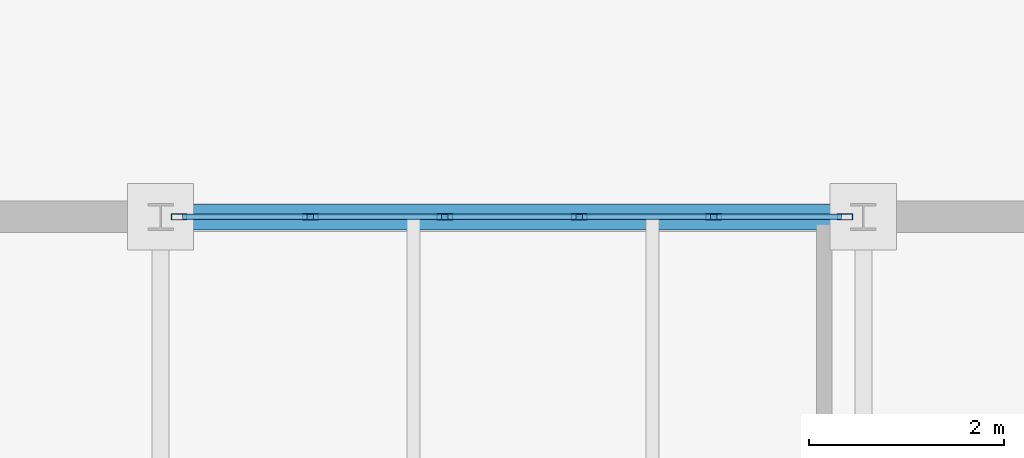
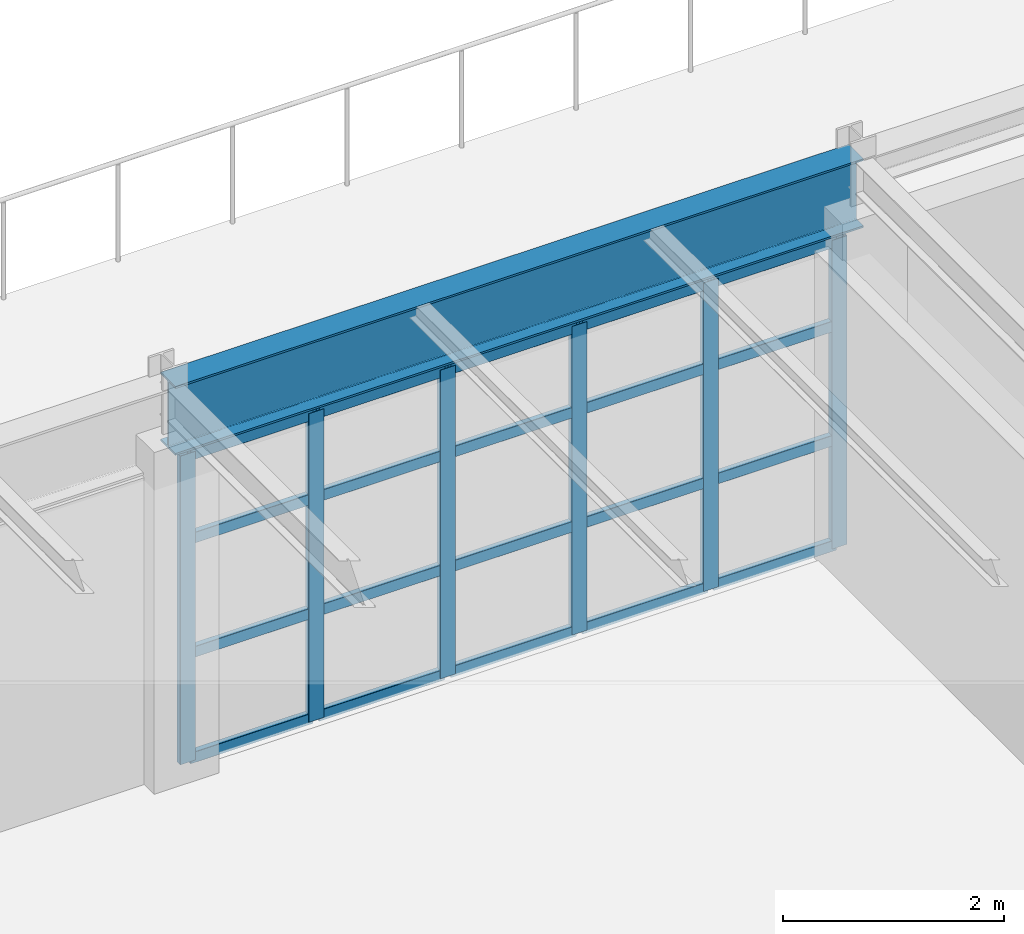
# One storey, part 74 of 101: 26 members, 1 beam, 1 element without a shape of its own.
"""IFC4 building model written with IfcOpenShell, lengths in metres."""

from ifc_helpers import new_model, si_unit, direction, frame, origin, origin_2d, place, context, subcontext, project, spatial, hollow_rectangle, i_section, extrude, material, layer, layer_set, material_profile, profile_set, type_object, element, aggregate, save


model = new_model("IFC4")

# Units and contexts
model_context = context("Model", 3, precision=1e-05, world=origin(), true_north=direction((0.0, 1.0)))
body_context = subcontext(model_context, "Body", "Model", "MODEL_VIEW")
ifc_project = project(units=[si_unit("LENGTHUNIT", "METRE"), si_unit("AREAUNIT", "SQUARE_METRE"), si_unit("VOLUMEUNIT", "CUBIC_METRE"), si_unit("PLANEANGLEUNIT", "RADIAN"), si_unit("MASSUNIT", "GRAM", prefix="KILO")], contexts=[model_context])

# Site, building, storey
site_placement = place(None, origin())
site = spatial("IfcSite", under=ifc_project, at=site_placement, CompositionType="ELEMENT")
building_placement = place(site_placement, origin())
building = spatial("IfcBuilding", under=site, at=building_placement, Name="Kemerveld Promenade Tramway Depot", CompositionType="ELEMENT")
storey_placement = place(building_placement, frame((0.0, 0.0, 9.89990234375)))
storey = spatial("IfcBuildingStorey", under=building, at=storey_placement, Name="L02", CompositionType="ELEMENT", Elevation=9.89990234375)

# Beam
ifc_material_1 = material(Name="Steel S355", Category="steel")
ifc_material_profile_1 = material_profile(ifc_material_1, i_section(OverallWidth=0.2666015625, OverallDepth=0.76220703125, WebThickness=0.014404296875, FlangeThickness=0.021484375, FilletRadius=0.0166015625, at=origin_2d()), Name="762x267x173 UB")
ifc_profile_set_1 = profile_set([ifc_material_profile_1], Name="Steel S355")
beam_type = type_object("IfcBeamType", Name="BM-G02", PredefinedType="BEAM", material=ifc_profile_set_1)
beam_placement = place(storey_placement, frame((21.60009765625, 72.0, 3.904052734375), z_axis=(1.0, 0.0, 0.0), x_axis=(0.0, 1.0, 0.0)))
element("IfcBeam", 1, at=beam_placement, inside=storey, type_object=beam_type, Name="BMX-L02-04-05-L", PredefinedType="BEAM", context=body_context, shape_type="SweptSolid", body=[
    extrude(i_section(OverallWidth=0.2666015625, OverallDepth=0.76220703125, WebThickness=0.014404296875, FlangeThickness=0.021484375, FilletRadius=0.0166015625, at=origin_2d()), origin(), (0.0, 0.0, 1.0), 7.199951171875),
])

# Curtain wall, members
ifc_material_2 = material(Name="Bronze anodised aluminium and solar glass", Category="aluminium")
ifc_layer = layer(ifc_material_2, 0.159912109375)
ifc_layer_set = layer_set([ifc_layer], Name="CW-SYS-07")
curtain_wall_type = type_object("IfcCurtainWallType", Name="CW-SYS-07", PredefinedType="USERDEFINED", material=ifc_layer_set)
curtain_wall_placement = place(storey_placement, origin())
curtain_wall = element("IfcCurtainWall", 2, at=curtain_wall_placement, inside=storey, type_object=curtain_wall_type, Name="CW-L02-V5N-04", ObjectType="GLAZED_CURTAIN_WALL", PredefinedType="USERDEFINED")
ifc_material_3 = material(Name="Bronze anodised aluminium", Category="aluminium")
ifc_material_profile_2 = material_profile(ifc_material_3, hollow_rectangle(XDim=0.06494140625, YDim=0.159912109375, WallThickness=0.00390625, InnerFilletRadius=0.001953125, OuterFilletRadius=0.00390625, at=origin_2d()), Name="CW-MUL-160x65")
ifc_profile_set_2 = profile_set([ifc_material_profile_2], Name="Bronze anodised aluminium")
member_type_1 = type_object("IfcMemberType", Name="CW-MUL-A", PredefinedType="MULLION", material=ifc_profile_set_2)
member_1_placement = place(storey_placement, frame((21.790771484375, 72.0, 0.0), z_axis=(0.0, 0.0, 1.0), x_axis=(0.0, 1.0, 0.0)))
member_1 = element("IfcMember", 3, at=member_1_placement, type_object=member_type_1, Name="CW07 mullion 1", PredefinedType="MULLION", context=body_context, shape_type="SweptSolid", body=[
    extrude(hollow_rectangle(XDim=0.06494140625, YDim=0.159912109375, WallThickness=0.00390625, InnerFilletRadius=0.001953125, OuterFilletRadius=0.00390625, at=origin_2d()), origin(), (0.0, 0.0, 1.0), 3.414306640625),
])
member_2_placement = place(storey_placement, frame((23.135009765625, 72.0, 0.0), z_axis=(0.0, 0.0, 1.0), x_axis=(0.0, 1.0, 0.0)))
member_2 = element("IfcMember", 4, at=member_2_placement, type_object=member_type_1, Name="CW07 mullion 2", PredefinedType="MULLION", context=body_context, shape_type="SweptSolid", body=[
    extrude(hollow_rectangle(XDim=0.06494140625, YDim=0.159912109375, WallThickness=0.00390625, InnerFilletRadius=0.001953125, OuterFilletRadius=0.00390625, at=origin_2d()), origin(), (0.0, 0.0, 1.0), 3.414306640625),
])
member_3_placement = place(storey_placement, frame((24.51171875, 72.0, 0.0), z_axis=(0.0, 0.0, 1.0), x_axis=(0.0, 1.0, 0.0)))
member_3 = element("IfcMember", 5, at=member_3_placement, type_object=member_type_1, Name="CW07 mullion 3", PredefinedType="MULLION", context=body_context, shape_type="SweptSolid", body=[
    extrude(hollow_rectangle(XDim=0.06494140625, YDim=0.159912109375, WallThickness=0.00390625, InnerFilletRadius=0.001953125, OuterFilletRadius=0.00390625, at=origin_2d()), origin(), (0.0, 0.0, 1.0), 3.414306640625),
])
member_4_placement = place(storey_placement, frame((25.888427734375, 72.0, 0.0), z_axis=(0.0, 0.0, 1.0), x_axis=(0.0, 1.0, 0.0)))
member_4 = element("IfcMember", 6, at=member_4_placement, type_object=member_type_1, Name="CW07 mullion 4", PredefinedType="MULLION", context=body_context, shape_type="SweptSolid", body=[
    extrude(hollow_rectangle(XDim=0.06494140625, YDim=0.159912109375, WallThickness=0.00390625, InnerFilletRadius=0.001953125, OuterFilletRadius=0.00390625, at=origin_2d()), origin(), (0.0, 0.0, 1.0), 3.414306640625),
])
member_5_placement = place(storey_placement, frame((27.26513671875, 72.0, 0.0), z_axis=(0.0, 0.0, 1.0), x_axis=(0.0, 1.0, 0.0)))
member_5 = element("IfcMember", 7, at=member_5_placement, type_object=member_type_1, Name="CW07 mullion 5", PredefinedType="MULLION", context=body_context, shape_type="SweptSolid", body=[
    extrude(hollow_rectangle(XDim=0.06494140625, YDim=0.159912109375, WallThickness=0.00390625, InnerFilletRadius=0.001953125, OuterFilletRadius=0.00390625, at=origin_2d()), origin(), (0.0, 0.0, 1.0), 3.414306640625),
])
member_6_placement = place(storey_placement, frame((28.609375, 72.0, 0.0), z_axis=(0.0, 0.0, 1.0), x_axis=(0.0, 1.0, 0.0)))
member_6 = element("IfcMember", 8, at=member_6_placement, type_object=member_type_1, Name="CW07 mullion 6", PredefinedType="MULLION", context=body_context, shape_type="SweptSolid", body=[
    extrude(hollow_rectangle(XDim=0.06494140625, YDim=0.159912109375, WallThickness=0.00390625, InnerFilletRadius=0.001953125, OuterFilletRadius=0.00390625, at=origin_2d()), origin(), (0.0, 0.0, 1.0), 3.414306640625),
])
ifc_material_profile_3 = material_profile(ifc_material_3, hollow_rectangle(XDim=0.06005859375, YDim=0.1201171875, WallThickness=0.00390625, InnerFilletRadius=0.001953125, OuterFilletRadius=0.00390625, at=origin_2d()), Name="CW-TRN-120x60")
ifc_profile_set_3 = profile_set([ifc_material_profile_3], Name="Bronze anodised aluminium")
member_type_2 = type_object("IfcMemberType", Name="CW-TRN-A", PredefinedType="USERDEFINED", material=ifc_profile_set_3)
member_7_placement = place(storey_placement, frame((21.8232421875, 72.0, 0.030029296875), z_axis=(1.0, 0.0, 0.0), x_axis=(0.0, 1.0, 0.0)))
member_7 = element("IfcMember", 9, at=member_7_placement, type_object=member_type_2, Name="CW07 transom 1.1", ObjectType="TRANSOM", PredefinedType="USERDEFINED", context=body_context, shape_type="SweptSolid", body=[
    extrude(hollow_rectangle(XDim=0.06005859375, YDim=0.1201171875, WallThickness=0.00390625, InnerFilletRadius=0.001953125, OuterFilletRadius=0.00390625, at=origin_2d()), origin(), (0.0, 0.0, 1.0), 1.279296875),
])
member_8_placement = place(storey_placement, frame((21.8232421875, 72.0, 1.195068359375), z_axis=(1.0, 0.0, 0.0), x_axis=(0.0, 1.0, 0.0)))
member_8 = element("IfcMember", 10, at=member_8_placement, type_object=member_type_2, Name="CW07 transom 1.2", ObjectType="TRANSOM", PredefinedType="USERDEFINED", context=body_context, shape_type="SweptSolid", body=[
    extrude(hollow_rectangle(XDim=0.06005859375, YDim=0.1201171875, WallThickness=0.00390625, InnerFilletRadius=0.001953125, OuterFilletRadius=0.00390625, at=origin_2d()), origin(), (0.0, 0.0, 1.0), 1.279296875),
])
member_9_placement = place(storey_placement, frame((21.8232421875, 72.0, 2.4580078125), z_axis=(1.0, 0.0, 0.0), x_axis=(0.0, 1.0, 0.0)))
member_9 = element("IfcMember", 11, at=member_9_placement, type_object=member_type_2, Name="CW07 transom 1.3", ObjectType="TRANSOM", PredefinedType="USERDEFINED", context=body_context, shape_type="SweptSolid", body=[
    extrude(hollow_rectangle(XDim=0.06005859375, YDim=0.1201171875, WallThickness=0.00390625, InnerFilletRadius=0.001953125, OuterFilletRadius=0.00390625, at=origin_2d()), origin(), (0.0, 0.0, 1.0), 1.279296875),
])
member_10_placement = place(storey_placement, frame((21.8232421875, 72.0, 3.38427734375), z_axis=(1.0, 0.0, 0.0), x_axis=(0.0, 1.0, 0.0)))
member_10 = element("IfcMember", 12, at=member_10_placement, type_object=member_type_2, Name="CW07 transom 1.4", ObjectType="TRANSOM", PredefinedType="USERDEFINED", context=body_context, shape_type="SweptSolid", body=[
    extrude(hollow_rectangle(XDim=0.06005859375, YDim=0.1201171875, WallThickness=0.00390625, InnerFilletRadius=0.001953125, OuterFilletRadius=0.00390625, at=origin_2d()), origin(), (0.0, 0.0, 1.0), 1.279296875),
])
member_11_placement = place(storey_placement, frame((23.16748046875, 72.0, 0.030029296875), z_axis=(1.0, 0.0, 0.0), x_axis=(0.0, 1.0, 0.0)))
member_11 = element("IfcMember", 13, at=member_11_placement, type_object=member_type_2, Name="CW07 transom 2.1", ObjectType="TRANSOM", PredefinedType="USERDEFINED", context=body_context, shape_type="SweptSolid", body=[
    extrude(hollow_rectangle(XDim=0.06005859375, YDim=0.1201171875, WallThickness=0.00390625, InnerFilletRadius=0.001953125, OuterFilletRadius=0.00390625, at=origin_2d()), origin(), (0.0, 0.0, 1.0), 1.311767578125),
])
member_12_placement = place(storey_placement, frame((23.16748046875, 72.0, 1.195068359375), z_axis=(1.0, 0.0, 0.0), x_axis=(0.0, 1.0, 0.0)))
member_12 = element("IfcMember", 14, at=member_12_placement, type_object=member_type_2, Name="CW07 transom 2.2", ObjectType="TRANSOM", PredefinedType="USERDEFINED", context=body_context, shape_type="SweptSolid", body=[
    extrude(hollow_rectangle(XDim=0.06005859375, YDim=0.1201171875, WallThickness=0.00390625, InnerFilletRadius=0.001953125, OuterFilletRadius=0.00390625, at=origin_2d()), origin(), (0.0, 0.0, 1.0), 1.311767578125),
])
member_13_placement = place(storey_placement, frame((23.16748046875, 72.0, 2.4580078125), z_axis=(1.0, 0.0, 0.0), x_axis=(0.0, 1.0, 0.0)))
member_13 = element("IfcMember", 15, at=member_13_placement, type_object=member_type_2, Name="CW07 transom 2.3", ObjectType="TRANSOM", PredefinedType="USERDEFINED", context=body_context, shape_type="SweptSolid", body=[
    extrude(hollow_rectangle(XDim=0.06005859375, YDim=0.1201171875, WallThickness=0.00390625, InnerFilletRadius=0.001953125, OuterFilletRadius=0.00390625, at=origin_2d()), origin(), (0.0, 0.0, 1.0), 1.311767578125),
])
member_14_placement = place(storey_placement, frame((23.16748046875, 72.0, 3.38427734375), z_axis=(1.0, 0.0, 0.0), x_axis=(0.0, 1.0, 0.0)))
member_14 = element("IfcMember", 16, at=member_14_placement, type_object=member_type_2, Name="CW07 transom 2.4", ObjectType="TRANSOM", PredefinedType="USERDEFINED", context=body_context, shape_type="SweptSolid", body=[
    extrude(hollow_rectangle(XDim=0.06005859375, YDim=0.1201171875, WallThickness=0.00390625, InnerFilletRadius=0.001953125, OuterFilletRadius=0.00390625, at=origin_2d()), origin(), (0.0, 0.0, 1.0), 1.311767578125),
])
member_15_placement = place(storey_placement, frame((24.544189453125, 72.0, 0.030029296875), z_axis=(1.0, 0.0, 0.0), x_axis=(0.0, 1.0, 0.0)))
member_15 = element("IfcMember", 17, at=member_15_placement, type_object=member_type_2, Name="CW07 transom 3.1", ObjectType="TRANSOM", PredefinedType="USERDEFINED", context=body_context, shape_type="SweptSolid", body=[
    extrude(hollow_rectangle(XDim=0.06005859375, YDim=0.1201171875, WallThickness=0.00390625, InnerFilletRadius=0.001953125, OuterFilletRadius=0.00390625, at=origin_2d()), origin(), (0.0, 0.0, 1.0), 1.311767578125),
])
member_16_placement = place(storey_placement, frame((24.544189453125, 72.0, 1.195068359375), z_axis=(1.0, 0.0, 0.0), x_axis=(0.0, 1.0, 0.0)))
member_16 = element("IfcMember", 18, at=member_16_placement, type_object=member_type_2, Name="CW07 transom 3.2", ObjectType="TRANSOM", PredefinedType="USERDEFINED", context=body_context, shape_type="SweptSolid", body=[
    extrude(hollow_rectangle(XDim=0.06005859375, YDim=0.1201171875, WallThickness=0.00390625, InnerFilletRadius=0.001953125, OuterFilletRadius=0.00390625, at=origin_2d()), origin(), (0.0, 0.0, 1.0), 1.311767578125),
])
member_17_placement = place(storey_placement, frame((24.544189453125, 72.0, 2.4580078125), z_axis=(1.0, 0.0, 0.0), x_axis=(0.0, 1.0, 0.0)))
member_17 = element("IfcMember", 19, at=member_17_placement, type_object=member_type_2, Name="CW07 transom 3.3", ObjectType="TRANSOM", PredefinedType="USERDEFINED", context=body_context, shape_type="SweptSolid", body=[
    extrude(hollow_rectangle(XDim=0.06005859375, YDim=0.1201171875, WallThickness=0.00390625, InnerFilletRadius=0.001953125, OuterFilletRadius=0.00390625, at=origin_2d()), origin(), (0.0, 0.0, 1.0), 1.311767578125),
])
member_18_placement = place(storey_placement, frame((24.544189453125, 72.0, 3.38427734375), z_axis=(1.0, 0.0, 0.0), x_axis=(0.0, 1.0, 0.0)))
member_18 = element("IfcMember", 20, at=member_18_placement, type_object=member_type_2, Name="CW07 transom 3.4", ObjectType="TRANSOM", PredefinedType="USERDEFINED", context=body_context, shape_type="SweptSolid", body=[
    extrude(hollow_rectangle(XDim=0.06005859375, YDim=0.1201171875, WallThickness=0.00390625, InnerFilletRadius=0.001953125, OuterFilletRadius=0.00390625, at=origin_2d()), origin(), (0.0, 0.0, 1.0), 1.311767578125),
])
member_19_placement = place(storey_placement, frame((25.9208984375, 72.0, 0.030029296875), z_axis=(1.0, 0.0, 0.0), x_axis=(0.0, 1.0, 0.0)))
member_19 = element("IfcMember", 21, at=member_19_placement, type_object=member_type_2, Name="CW07 transom 4.1", ObjectType="TRANSOM", PredefinedType="USERDEFINED", context=body_context, shape_type="SweptSolid", body=[
    extrude(hollow_rectangle(XDim=0.06005859375, YDim=0.1201171875, WallThickness=0.00390625, InnerFilletRadius=0.001953125, OuterFilletRadius=0.00390625, at=origin_2d()), origin(), (0.0, 0.0, 1.0), 1.311767578125),
])
member_20_placement = place(storey_placement, frame((25.9208984375, 72.0, 1.195068359375), z_axis=(1.0, 0.0, 0.0), x_axis=(0.0, 1.0, 0.0)))
member_20 = element("IfcMember", 22, at=member_20_placement, type_object=member_type_2, Name="CW07 transom 4.2", ObjectType="TRANSOM", PredefinedType="USERDEFINED", context=body_context, shape_type="SweptSolid", body=[
    extrude(hollow_rectangle(XDim=0.06005859375, YDim=0.1201171875, WallThickness=0.00390625, InnerFilletRadius=0.001953125, OuterFilletRadius=0.00390625, at=origin_2d()), origin(), (0.0, 0.0, 1.0), 1.311767578125),
])
member_21_placement = place(storey_placement, frame((25.9208984375, 72.0, 2.4580078125), z_axis=(1.0, 0.0, 0.0), x_axis=(0.0, 1.0, 0.0)))
member_21 = element("IfcMember", 23, at=member_21_placement, type_object=member_type_2, Name="CW07 transom 4.3", ObjectType="TRANSOM", PredefinedType="USERDEFINED", context=body_context, shape_type="SweptSolid", body=[
    extrude(hollow_rectangle(XDim=0.06005859375, YDim=0.1201171875, WallThickness=0.00390625, InnerFilletRadius=0.001953125, OuterFilletRadius=0.00390625, at=origin_2d()), origin(), (0.0, 0.0, 1.0), 1.311767578125),
])
member_22_placement = place(storey_placement, frame((25.9208984375, 72.0, 3.38427734375), z_axis=(1.0, 0.0, 0.0), x_axis=(0.0, 1.0, 0.0)))
member_22 = element("IfcMember", 24, at=member_22_placement, type_object=member_type_2, Name="CW07 transom 4.4", ObjectType="TRANSOM", PredefinedType="USERDEFINED", context=body_context, shape_type="SweptSolid", body=[
    extrude(hollow_rectangle(XDim=0.06005859375, YDim=0.1201171875, WallThickness=0.00390625, InnerFilletRadius=0.001953125, OuterFilletRadius=0.00390625, at=origin_2d()), origin(), (0.0, 0.0, 1.0), 1.311767578125),
])
member_23_placement = place(storey_placement, frame((27.297607421875, 72.0, 0.030029296875), z_axis=(1.0, 0.0, 0.0), x_axis=(0.0, 1.0, 0.0)))
member_23 = element("IfcMember", 25, at=member_23_placement, type_object=member_type_2, Name="CW07 transom 5.1", ObjectType="TRANSOM", PredefinedType="USERDEFINED", context=body_context, shape_type="SweptSolid", body=[
    extrude(hollow_rectangle(XDim=0.06005859375, YDim=0.1201171875, WallThickness=0.00390625, InnerFilletRadius=0.001953125, OuterFilletRadius=0.00390625, at=origin_2d()), origin(), (0.0, 0.0, 1.0), 1.279296875),
])
member_24_placement = place(storey_placement, frame((27.297607421875, 72.0, 1.195068359375), z_axis=(1.0, 0.0, 0.0), x_axis=(0.0, 1.0, 0.0)))
member_24 = element("IfcMember", 26, at=member_24_placement, type_object=member_type_2, Name="CW07 transom 5.2", ObjectType="TRANSOM", PredefinedType="USERDEFINED", context=body_context, shape_type="SweptSolid", body=[
    extrude(hollow_rectangle(XDim=0.06005859375, YDim=0.1201171875, WallThickness=0.00390625, InnerFilletRadius=0.001953125, OuterFilletRadius=0.00390625, at=origin_2d()), origin(), (0.0, 0.0, 1.0), 1.279296875),
])
member_25_placement = place(storey_placement, frame((27.297607421875, 72.0, 2.4580078125), z_axis=(1.0, 0.0, 0.0), x_axis=(0.0, 1.0, 0.0)))
member_25 = element("IfcMember", 27, at=member_25_placement, type_object=member_type_2, Name="CW07 transom 5.3", ObjectType="TRANSOM", PredefinedType="USERDEFINED", context=body_context, shape_type="SweptSolid", body=[
    extrude(hollow_rectangle(XDim=0.06005859375, YDim=0.1201171875, WallThickness=0.00390625, InnerFilletRadius=0.001953125, OuterFilletRadius=0.00390625, at=origin_2d()), origin(), (0.0, 0.0, 1.0), 1.279296875),
])
member_26_placement = place(storey_placement, frame((27.297607421875, 72.0, 3.38427734375), z_axis=(1.0, 0.0, 0.0), x_axis=(0.0, 1.0, 0.0)))
member_26 = element("IfcMember", 28, at=member_26_placement, type_object=member_type_2, Name="CW07 transom 5.4", ObjectType="TRANSOM", PredefinedType="USERDEFINED", context=body_context, shape_type="SweptSolid", body=[
    extrude(hollow_rectangle(XDim=0.06005859375, YDim=0.1201171875, WallThickness=0.00390625, InnerFilletRadius=0.001953125, OuterFilletRadius=0.00390625, at=origin_2d()), origin(), (0.0, 0.0, 1.0), 1.279296875),
])
aggregate(curtain_wall, [member_1, member_2, member_3, member_4, member_5, member_6, member_7, member_8, member_9, member_10, member_11, member_12, member_13, member_14, member_15, member_16, member_17, member_18, member_19, member_20, member_21, member_22, member_23, member_24, member_25, member_26])

save(model, "model.ifc")
